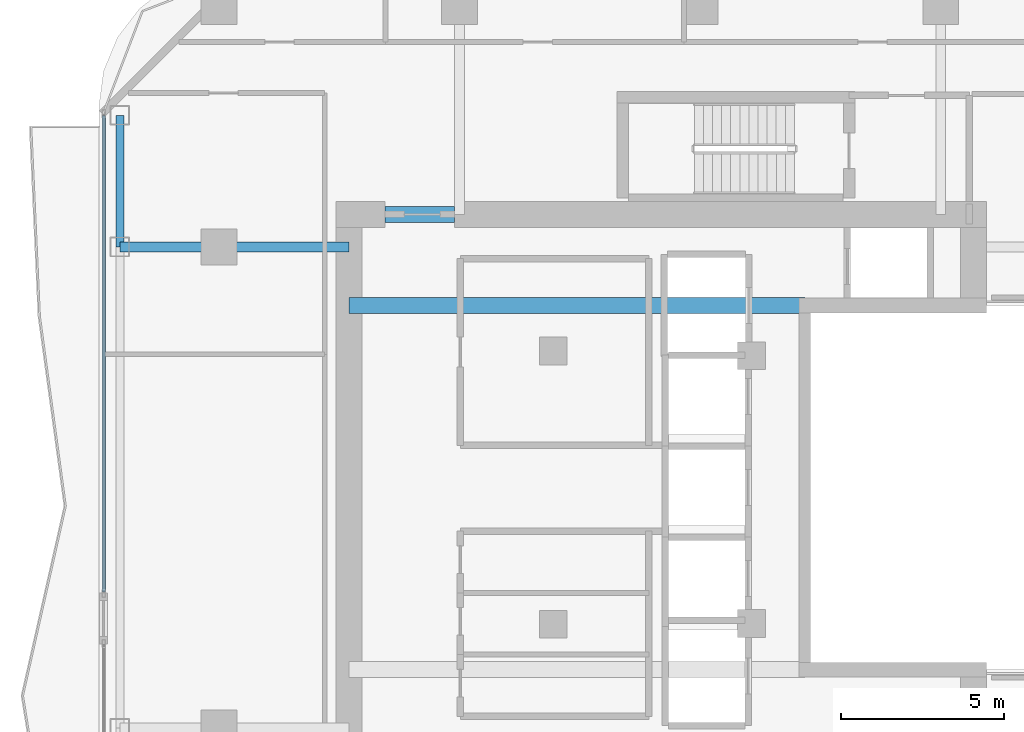
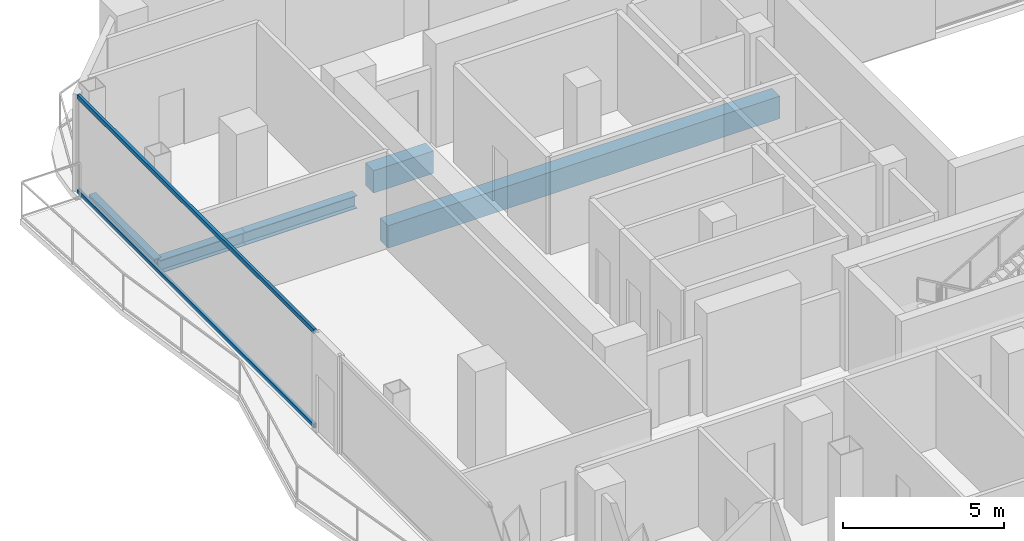
# One storey, part 13 of 26: 5 beams, 2 members, 1 element without a shape of its own.
"""IFC4 building model written with IfcOpenShell, lengths in metres."""

from ifc_helpers import new_model, si_unit, direction, frame, origin, origin_2d, place, context, subcontext, project, spatial, rectangle, hollow_rectangle, i_section, extrude, material, layer, layer_set, material_profile, profile_set, type_object, element, aggregate, save


model = new_model("IFC4")

# Units and contexts
model_context = context("Model", 3, precision=1e-05, world=origin(), true_north=direction((0.0, 1.0)))
body_context = subcontext(model_context, "Body", "Model", "MODEL_VIEW")
ifc_project = project(units=[si_unit("LENGTHUNIT", "METRE"), si_unit("AREAUNIT", "SQUARE_METRE"), si_unit("VOLUMEUNIT", "CUBIC_METRE"), si_unit("PLANEANGLEUNIT", "RADIAN"), si_unit("MASSUNIT", "GRAM", prefix="KILO")], contexts=[model_context])

# Site, building, storey
site_placement = place(None, origin())
site = spatial("IfcSite", under=ifc_project, at=site_placement, CompositionType="ELEMENT")
building_placement = place(site_placement, origin())
building = spatial("IfcBuilding", under=site, at=building_placement, Name="Khorvyn Point Tower", CompositionType="ELEMENT")
storey_placement = place(building_placement, frame((0.0, 0.0, 223.5)))
storey = spatial("IfcBuildingStorey", under=building, at=storey_placement, Name="L55", CompositionType="ELEMENT", Elevation=223.5)

# Curtain wall, members
ifc_material_1 = material(Name="Anodised aluminium 6063-T6 and laminated Low-E glass", Category="aluminium")
ifc_layer = layer(ifc_material_1, 0.18994140625)
ifc_layer_set = layer_set([ifc_layer], Name="Stick-Built Acoustic Curtain Wall CW-SYS-03")
curtain_wall_type = type_object("IfcCurtainWallType", Name="Stick-Built Acoustic Curtain Wall CW-SYS-03", PredefinedType="NOTDEFINED", material=ifc_layer_set)
curtain_wall_placement = place(storey_placement, origin())
curtain_wall = element("IfcCurtainWall", 1, at=curtain_wall_placement, inside=storey, type_object=curtain_wall_type, Name="Curtain Wall", PredefinedType="NOTDEFINED")
ifc_material_2 = material(Name="Anodised aluminium 6063-T6", Category="aluminium")
ifc_material_profile_1 = material_profile(ifc_material_2, hollow_rectangle(XDim=0.10009765625, YDim=0.159912109375, WallThickness=0.00439453125, at=origin_2d()))
ifc_profile_set_1 = profile_set([ifc_material_profile_1], Name="Anodised aluminium 6063-T6 ALU-TRN-100x160")
member_type = type_object("IfcMemberType", Name="Anodised Aluminium 6063-T6 Transom ALU-TRN-100x160", PredefinedType="USERDEFINED", material=ifc_profile_set_1)
member_1_placement = place(storey_placement, frame((-18.35009765625, -3.2099609375, 0.050048828125), z_axis=(0.0, 1.0, 0.0), x_axis=(-1.0, 0.0, 0.0)))
member_1 = element("IfcMember", 2, at=member_1_placement, type_object=member_type, Name="Transom", ObjectType="TRANSOM", PredefinedType="USERDEFINED", context=body_context, shape_type="SweptSolid", body=[
    extrude(hollow_rectangle(XDim=0.10009765625, YDim=0.159912109375, WallThickness=0.00439453125, at=origin_2d()), origin(), (0.0, 0.0, 1.0), 14.659912109375),
])
member_2_placement = place(storey_placement, frame((-18.35009765625, -3.2099609375, 3.6298828125), z_axis=(0.0, 1.0, 0.0), x_axis=(-1.0, 0.0, 0.0)))
member_2 = element("IfcMember", 3, at=member_2_placement, type_object=member_type, Name="Transom", ObjectType="TRANSOM", PredefinedType="USERDEFINED", context=body_context, shape_type="SweptSolid", body=[
    extrude(hollow_rectangle(XDim=0.10009765625, YDim=0.159912109375, WallThickness=0.00439453125, at=origin_2d()), origin(), (0.0, 0.0, 1.0), 14.659912109375),
])
aggregate(curtain_wall, [member_1, member_2])

# Beams
ifc_material_3 = material(Name="Concrete C45/55", Category="concrete")
ifc_material_profile_2 = material_profile(ifc_material_3, rectangle(XDim=0.5, YDim=0.85009765625, at=origin_2d()))
ifc_profile_set_2 = profile_set([ifc_material_profile_2], Name="Concrete C45/55 RC500x850")
beam_type_1 = type_object("IfcBeamType", Name="Concrete C45/55 Beam RC500x850", PredefinedType="BEAM", material=ifc_profile_set_2)
beam_1_placement = place(storey_placement, frame((-10.800048828125, 5.60009765625, -0.64501953125), z_axis=(1.0, 0.0, 0.0), x_axis=(0.0, 1.0, 0.0)))
element("IfcBeam", 4, at=beam_1_placement, inside=storey, type_object=beam_type_1, Name="L55 Core Internal Tie Girder N", PredefinedType="BEAM", context=body_context, shape_type="SweptSolid", body=[
    extrude(rectangle(XDim=0.5, YDim=0.85009765625, at=origin_2d()), origin(), (0.0, 0.0, 1.0), 14.02001953125),
])
beam_2_placement = place(storey_placement, frame((-9.699951171875, 8.39990234375, -0.64501953125), z_axis=(1.0, 0.0, 0.0), x_axis=(0.0, 1.0, 0.0)))
element("IfcBeam", 5, at=beam_2_placement, inside=storey, type_object=beam_type_1, Name="L55 Core Northwest Portal Coupling Beam", PredefinedType="BEAM", context=body_context, shape_type="SweptSolid", body=[
    extrude(rectangle(XDim=0.5, YDim=0.85009765625, at=origin_2d()), origin(), (0.0, 0.0, 1.0), 2.14990234375),
])
ifc_material_4 = material(Name="Steel S355", Category="steel")
ifc_material_profile_3 = material_profile(ifc_material_4, i_section(OverallWidth=0.300048828125, OverallDepth=0.488037109375, WebThickness=0.010986328125, FlangeThickness=0.01806640625, at=origin_2d()))
ifc_profile_set_3 = profile_set([ifc_material_profile_3], Name="Steel S355 H488x300x11x18")
beam_type_2 = type_object("IfcBeamType", Name="Steel S355 Spandrel H488x300x11x18", PredefinedType="SPANDREL", material=ifc_profile_set_3)
beam_3_placement = place(storey_placement, frame((-17.85009765625, 7.39990234375, -0.464111328125), z_axis=(1.0, 0.0, 0.0), x_axis=(0.0, 1.0, 0.0)))
element("IfcBeam", 6, at=beam_3_placement, inside=storey, type_object=beam_type_2, Name="Beam", PredefinedType="SPANDREL", context=body_context, shape_type="SweptSolid", body=[
    extrude(i_section(OverallWidth=0.300048828125, OverallDepth=0.488037109375, WebThickness=0.010986328125, FlangeThickness=0.01806640625, at=origin_2d()), origin(), (0.0, 0.0, 1.0), 3.050048828125),
])
beam_4_placement = place(storey_placement, frame((-14.800048828125, 7.39990234375, -0.464111328125), z_axis=(1.0, 0.0, 0.0), x_axis=(0.0, 1.0, 0.0)))
element("IfcBeam", 7, at=beam_4_placement, inside=storey, type_object=beam_type_2, Name="Beam", PredefinedType="SPANDREL", context=body_context, shape_type="SweptSolid", body=[
    extrude(i_section(OverallWidth=0.300048828125, OverallDepth=0.488037109375, WebThickness=0.010986328125, FlangeThickness=0.01806640625, at=origin_2d()), origin(), (0.0, 0.0, 1.0), 4.0),
])
ifc_material_profile_4 = material_profile(ifc_material_4, hollow_rectangle(XDim=0.25, YDim=0.39990234375, WallThickness=0.01611328125, at=origin_2d()))
ifc_profile_set_4 = profile_set([ifc_material_profile_4], Name="Steel S355 RHS400x250x16")
beam_type_3 = type_object("IfcBeamType", Name="Steel S355 Spandrel RHS400x250x16", PredefinedType="SPANDREL", material=ifc_profile_set_4)
beam_5_placement = place(storey_placement, frame((-17.85009765625, 7.39990234375, -0.419921875), z_axis=(0.0, 1.0, 0.0), x_axis=(-1.0, 0.0, 0.0)))
element("IfcBeam", 8, at=beam_5_placement, inside=storey, type_object=beam_type_3, Name="Beam", PredefinedType="SPANDREL", context=body_context, shape_type="SweptSolid", body=[
    extrude(hollow_rectangle(XDim=0.25, YDim=0.39990234375, WallThickness=0.01611328125, at=origin_2d()), origin(), (0.0, 0.0, 1.0), 4.050048828125),
])

save(model, "model.ifc")
